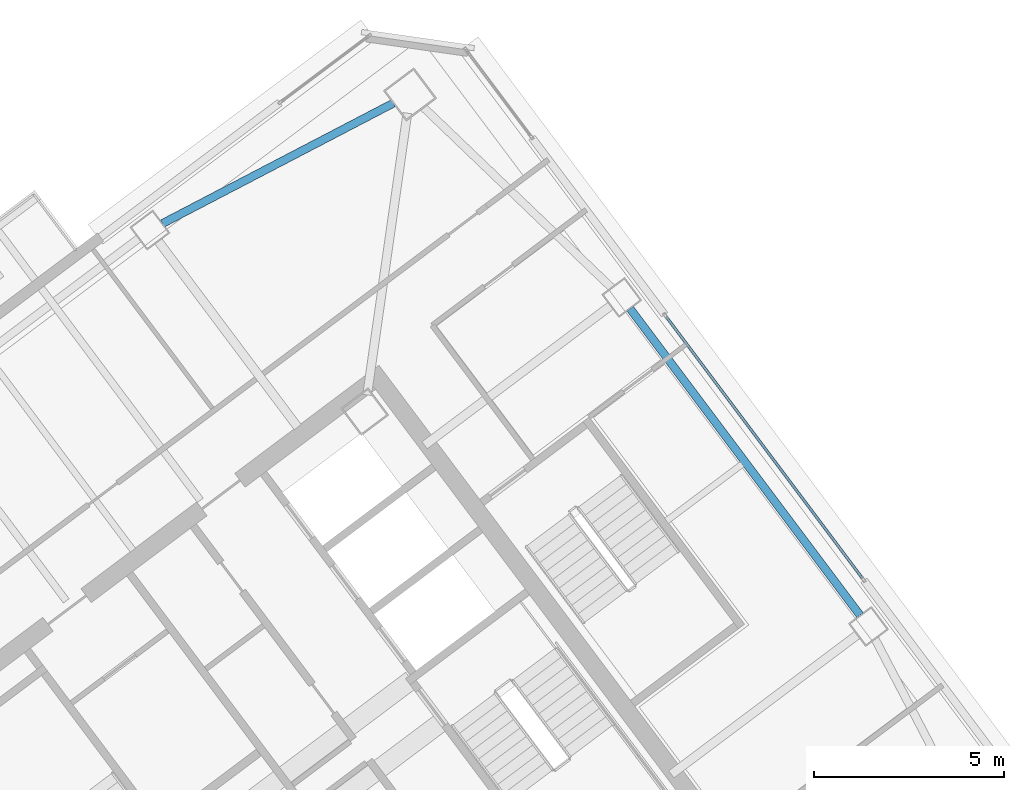
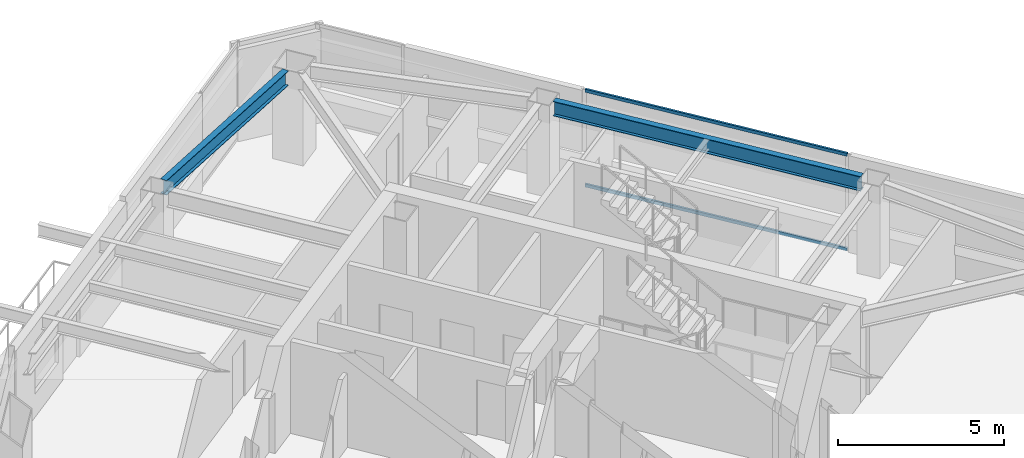
# One storey, part 23 of 36: 2 beams, 2 members, 1 element without a shape of its own.
"""IFC4 building model written with IfcOpenShell, lengths in metres."""

import ifcopenshell
import ifcopenshell.guid

model = None  # the IFC model being written
_history = None  # IfcOwnerHistory: only IFC2X3 demands one
_inside = {}  # id of a spatial element -> (the spatial element, [elements in it])
_under = {}  # id of a project, library or spatial element -> (it, [spatial elements below it])
_declared = {}  # id of a project -> (the project, [libraries it declares])
_typed = {}  # id of a type object -> (the type object, [elements of that type])
_made_of = {}  # id of a material, layer set ... -> (it, [elements and type objects made of it])


def new_model(schema):
    """Start an empty IFC model of exactly this schema.

    Asked for "IFC4X3", IfcOpenShell would pick the latest addendum, in which some entities
    have other attributes; the version numbers below select the first issue.
    IFC2X3 requires an IfcOwnerHistory on every rooted entity: one is made here for all.
    """
    global model, _history
    if schema == "IFC4X3":
        model = ifcopenshell.file(schema_version=(4, 3, 0, 0))
    else:
        model = ifcopenshell.file(schema=schema)
    _inside.clear()
    _under.clear()
    _declared.clear()
    _typed.clear()
    _made_of.clear()
    _history = None
    if model.schema == "IFC2X3":
        org = make("IfcOrganization", Name="unknown")
        user = make(
            "IfcPersonAndOrganization",
            ThePerson=make("IfcPerson", FamilyName="unknown"),
            TheOrganization=org,
        )
        app = make(
            "IfcApplication",
            ApplicationDeveloper=org,
            Version="unknown",
            ApplicationFullName="unknown",
            ApplicationIdentifier="unknown",
        )
        _history = make(
            "IfcOwnerHistory",
            OwningUser=user,
            OwningApplication=app,
            ChangeAction="ADDED",
            CreationDate=0,
        )
    return model


def make(cls, **values):
    """One entity of the class cls with the attributes given. An attribute that is None is left unset."""
    return model.create_entity(
        cls, **{name: value for name, value in values.items() if value is not None}
    )


def rooted(cls, **values):
    """An entity with a GlobalId (a new one), such as an element, a storey or a relation."""
    return make(cls, GlobalId=ifcopenshell.guid.new(), OwnerHistory=_history, **values)


def si_unit(unit_type, name, prefix=None):
    """IfcSIUnit, for example si_unit("LENGTHUNIT", "METRE", prefix="MILLI")."""
    return make("IfcSIUnit", UnitType=unit_type, Prefix=prefix, Name=name)


def assignment(units):
    """IfcUnitAssignment: the units of a project."""
    return None if units is None else make("IfcUnitAssignment", Units=units)


def point(xyz):
    """IfcCartesianPoint."""
    return None if xyz is None else make("IfcCartesianPoint", Coordinates=xyz)


def direction(xyz):
    """IfcDirection."""
    return None if xyz is None else make("IfcDirection", DirectionRatios=xyz)


def frame(location, z_axis=None, x_axis=None):
    """IfcAxis2Placement3D, a coordinate frame: its origin and axes. An axis left out is left unset."""
    return make(
        "IfcAxis2Placement3D",
        Location=point(location),
        Axis=direction(z_axis),
        RefDirection=direction(x_axis),
    )


def frame_2d(location, x_axis=None):
    """IfcAxis2Placement2D, a coordinate frame in the plane: its origin and x axis."""
    return make(
        "IfcAxis2Placement2D", Location=point(location), RefDirection=direction(x_axis)
    )


def origin():
    """The frame at (0, 0, 0) with its axes left unset."""
    return frame((0.0, 0.0, 0.0))


def origin_2d():
    """The frame at (0, 0) in the plane with its x axis left unset."""
    return frame_2d((0.0, 0.0))


def place(relative_to, where):
    """IfcLocalPlacement: puts the frame where relative to a parent placement (None: the world)."""
    return make(
        "IfcLocalPlacement", PlacementRelTo=relative_to, RelativePlacement=where
    )


def context(
    kind, dimensions, precision=None, world=None, true_north=None, identifier=None
):
    """IfcGeometricRepresentationContext, for example the 3D "Model" context."""
    return make(
        "IfcGeometricRepresentationContext",
        ContextIdentifier=identifier,
        ContextType=kind,
        CoordinateSpaceDimension=dimensions,
        Precision=precision,
        WorldCoordinateSystem=world,
        TrueNorth=true_north,
    )


def subcontext(parent, identifier, kind, view, scale=None):
    """IfcGeometricRepresentationSubContext, for example "Body" below "Model"."""
    return make(
        "IfcGeometricRepresentationSubContext",
        ContextIdentifier=identifier,
        ContextType=kind,
        ParentContext=parent,
        TargetScale=scale,
        TargetView=view,
    )


def project(units=None, contexts=None):
    """IfcProject with its units and contexts."""
    return rooted(
        "IfcProject",
        Name="project",
        RepresentationContexts=contexts,
        UnitsInContext=assignment(units),
    )


def spatial(cls, under=None, at=None, **own):
    """A site, building, storey or space (cls), placed at a placement, below another one or the project."""
    s = rooted(cls, ObjectPlacement=at, **own)
    if under is not None:
        _under.setdefault(under.id(), (under, []))[1].append(s)
    return s


def profile(cls, at=None, kind="AREA", **sizes):
    """A parametric profile (cls). Its sizes go by their IFC names, for example OverallWidth=200.0."""
    return make(cls, ProfileType=kind, Position=at, **sizes)


def hollow_rectangle(**sizes):
    """IfcRectangleHollowProfileDef."""
    return profile("IfcRectangleHollowProfileDef", **sizes)


def i_section(**sizes):
    """IfcIShapeProfileDef."""
    return profile("IfcIShapeProfileDef", **sizes)


def extrude(swept, where, along, depth):
    """IfcExtrudedAreaSolid: the profile swept, set in the frame where, extruded along a direction by depth."""
    return make(
        "IfcExtrudedAreaSolid",
        SweptArea=swept,
        Position=where,
        ExtrudedDirection=direction(along),
        Depth=depth,
    )


def shape(context_of_items, identifier, shape_type, items):
    """IfcShapeRepresentation: the items that make up one representation, for example the "Body"."""
    return make(
        "IfcShapeRepresentation",
        ContextOfItems=context_of_items,
        RepresentationIdentifier=identifier,
        RepresentationType=shape_type,
        Items=items,
    )


def material(Name=None, Category=None):
    """IfcMaterial."""
    return make("IfcMaterial", Name=Name, Category=Category)


def material_profile(
    of_material, cross_section, Name=None, Category=None, Priority=None
):
    """IfcMaterialProfile: a cross section and its material."""
    return make(
        "IfcMaterialProfile",
        Name=Name,
        Material=of_material,
        Profile=cross_section,
        Priority=Priority,
        Category=Category,
    )


def profile_set(profiles, Name=None, composite=None):
    """IfcMaterialProfileSet."""
    return make(
        "IfcMaterialProfileSet",
        Name=Name,
        MaterialProfiles=profiles,
        CompositeProfile=composite,
    )


def made_of(thing, what):
    """Note that an element or type object is made of a material, layer set ...; save() writes the relation."""
    if what is not None:
        _made_of.setdefault(what.id(), (what, []))[1].append(thing)
    return thing


def type_object(cls, material=None, **own):
    """A type object (cls), such as IfcWallType, which elements share."""
    return made_of(rooted(cls, **own), material)


def element(
    cls,
    number,
    at=None,
    inside=None,
    cuts=None,
    type_object=None,
    material=None,
    context=None,
    identifier="Body",
    shape_type=None,
    held_by="IfcProductDefinitionShape",
    body=None,
    shapes=None,
    **own,
):
    """One element of the class cls, such as IfcWall. Its Tag is "e" and its number.

    at: its placement. inside: the storey or other place that contains it. cuts: it is an
    opening in that element (IfcRelVoidsElement). A single representation is given by context,
    identifier, shape_type and body (its items); several are given by shapes. held_by: the class
    of the entity that holds the representations. save() writes the other relations.
    """
    e = rooted(cls, Tag="e%d" % number, ObjectPlacement=at, **own)
    if body is not None:
        shapes = [shape(context, identifier, shape_type, body)]
    if shapes is not None:
        e.Representation = make(held_by, Representations=shapes)
    if inside is not None:
        _inside.setdefault(inside.id(), (inside, []))[1].append(e)
    if cuts is not None:
        rooted(
            "IfcRelVoidsElement", RelatingBuildingElement=cuts, RelatedOpeningElement=e
        )
    if type_object is not None:
        _typed.setdefault(type_object.id(), (type_object, []))[1].append(e)
    return made_of(e, material)


def aggregate(whole, parts):
    """IfcRelAggregates: a whole, such as a stair, and the parts it consists of."""
    return rooted("IfcRelAggregates", RelatingObject=whole, RelatedObjects=parts)


def save(model, path):
    """Write the relations noted so far, then the file.

    IfcRelAggregates (storeys below a building ...), IfcRelContainedInSpatialStructure (elements
    in a storey), IfcRelDefinesByType, IfcRelAssociatesMaterial and IfcRelDeclares: one each for
    every whole, place, type object, material and project.
    """
    for whole, parts in _under.values():
        aggregate(whole, parts)
    for where, things in _inside.values():
        rooted(
            "IfcRelContainedInSpatialStructure",
            RelatedElements=things,
            RelatingStructure=where,
        )
    for kind, things in _typed.values():
        rooted("IfcRelDefinesByType", RelatedObjects=things, RelatingType=kind)
    for what, things in _made_of.values():
        rooted("IfcRelAssociatesMaterial", RelatedObjects=things, RelatingMaterial=what)
    for by, libraries in _declared.values():
        rooted("IfcRelDeclares", RelatingContext=by, RelatedDefinitions=libraries)
    model.write(path)


model = new_model("IFC4")

# Units and contexts
model_context = context("Model", 3, precision=1e-05, world=origin(), true_north=direction((0.0, 1.0)))
body_context = subcontext(model_context, "Body", "Model", "MODEL_VIEW")
ifc_project = project(units=[si_unit("LENGTHUNIT", "METRE"), si_unit("AREAUNIT", "SQUARE_METRE"), si_unit("VOLUMEUNIT", "CUBIC_METRE"), si_unit("PLANEANGLEUNIT", "RADIAN"), si_unit("MASSUNIT", "GRAM", prefix="KILO")], contexts=[model_context])

# Site, building, storey
site_placement = place(None, origin())
site = spatial("IfcSite", under=ifc_project, at=site_placement, CompositionType="ELEMENT")
building_placement = place(site_placement, origin())
building = spatial("IfcBuilding", under=site, at=building_placement, Name="Tashvorn Skyway Center", CompositionType="ELEMENT")
storey_placement = place(building_placement, frame((0.0, 0.0, 236.14990234375)))
storey = spatial("IfcBuildingStorey", under=building, at=storey_placement, Name="L64", CompositionType="ELEMENT", Elevation=236.14990234375)

# Beams
ifc_material_1 = material(Name="Steel ASTM A992 Grade 50", Category="steel")
ifc_material_profile_1 = material_profile(ifc_material_1, i_section(OverallWidth=0.2109375, OverallDepth=0.5390625, WebThickness=0.01171875, FlangeThickness=0.018798828125, at=origin_2d()), Name="W21X73")
ifc_profile_set_1 = profile_set([ifc_material_profile_1], Name="Steel ASTM A992 Grade 50")
beam_type = type_object("IfcBeamType", Name="BM-SPANDREL-W21X73", PredefinedType="SPANDREL", material=ifc_profile_set_1)
beam_1_placement = place(storey_placement, frame((128.41796875, 36.52587890625, 3.1005859375), z_axis=(-0.599988351091, 0.800008736549, 0.0), x_axis=(-0.800008736549, -0.599988351091, 0.0)))
element("IfcBeam", 1, at=beam_1_placement, inside=storey, type_object=beam_type, Name="Tower 2 L64 Spandrel Beam 05", PredefinedType="SPANDREL", context=body_context, shape_type="SweptSolid", body=[
    extrude(i_section(OverallWidth=0.2109375, OverallDepth=0.5390625, WebThickness=0.01171875, FlangeThickness=0.018798828125, at=origin_2d()), origin(), (0.0, 0.0, 1.0), 10.06005859375),
])
beam_2_placement = place(storey_placement, frame((116.1611328125, 49.97119140625, 3.1005859375), z_axis=(-0.886773234579, -0.462204749472, 0.0), x_axis=(0.462204749472, -0.886773234579, 0.0)))
element("IfcBeam", 2, at=beam_2_placement, inside=storey, type_object=beam_type, Name="Tower 2 L64 Spandrel Beam 07", PredefinedType="SPANDREL", context=body_context, shape_type="SweptSolid", body=[
    extrude(i_section(OverallWidth=0.2109375, OverallDepth=0.5390625, WebThickness=0.01171875, FlangeThickness=0.018798828125, at=origin_2d()), origin(), (0.0, 0.0, 1.0), 6.837158203125),
])

# Curtain wall, members
ifc_material_2 = material(Name="Thermally broken bronze-anodized aluminium 6063-T6", Category="aluminium")
curtain_wall_type = type_object("IfcCurtainWallType", Name="CW-CW-Z5", PredefinedType="NOTDEFINED", material=ifc_material_2)
curtain_wall_placement = place(storey_placement, origin())
curtain_wall = element("IfcCurtainWall", 3, at=curtain_wall_placement, inside=storey, type_object=curtain_wall_type, Name="Tower 2 L64 East Unitised Curtain Wall Glazing Group 2", PredefinedType="NOTDEFINED")
ifc_material_profile_2 = material_profile(ifc_material_2, hollow_rectangle(XDim=0.070068359375, YDim=0.114990234375, WallThickness=0.00390625, at=origin_2d()), Name="ALU-TRAN-70x115")
ifc_profile_set_2 = profile_set([ifc_material_profile_2], Name="Thermally broken bronze-anodized aluminium 6063-T6")
member_type = type_object("IfcMemberType", Name="CWT-CW-Z5", PredefinedType="USERDEFINED", material=ifc_profile_set_2)
member_1_placement = place(storey_placement, frame((123.330078125, 44.360107421875, 0.03515625), z_axis=(0.599995447241, -0.800003414549, 0.0), x_axis=(0.800003414549, 0.599995447241, 0.0)))
member_1 = element("IfcMember", 4, at=member_1_placement, type_object=member_type, Name="CW-Z5 transom 1.1", ObjectType="TRANSOM", PredefinedType="USERDEFINED", context=body_context, shape_type="SweptSolid", body=[
    extrude(hollow_rectangle(XDim=0.070068359375, YDim=0.114990234375, WallThickness=0.00390625, at=origin_2d()), origin(), (0.0, 0.0, 1.0), 8.580078125),
])
member_2_placement = place(storey_placement, frame((123.330078125, 44.360107421875, 3.51513671875), z_axis=(0.599995447241, -0.800003414549, 0.0), x_axis=(0.800003414549, 0.599995447241, 0.0)))
member_2 = element("IfcMember", 5, at=member_2_placement, type_object=member_type, Name="CW-Z5 transom 1.2", ObjectType="TRANSOM", PredefinedType="USERDEFINED", context=body_context, shape_type="SweptSolid", body=[
    extrude(hollow_rectangle(XDim=0.070068359375, YDim=0.114990234375, WallThickness=0.00390625, at=origin_2d()), origin(), (0.0, 0.0, 1.0), 8.580078125),
])
aggregate(curtain_wall, [member_1, member_2])

save(model, "model.ifc")
